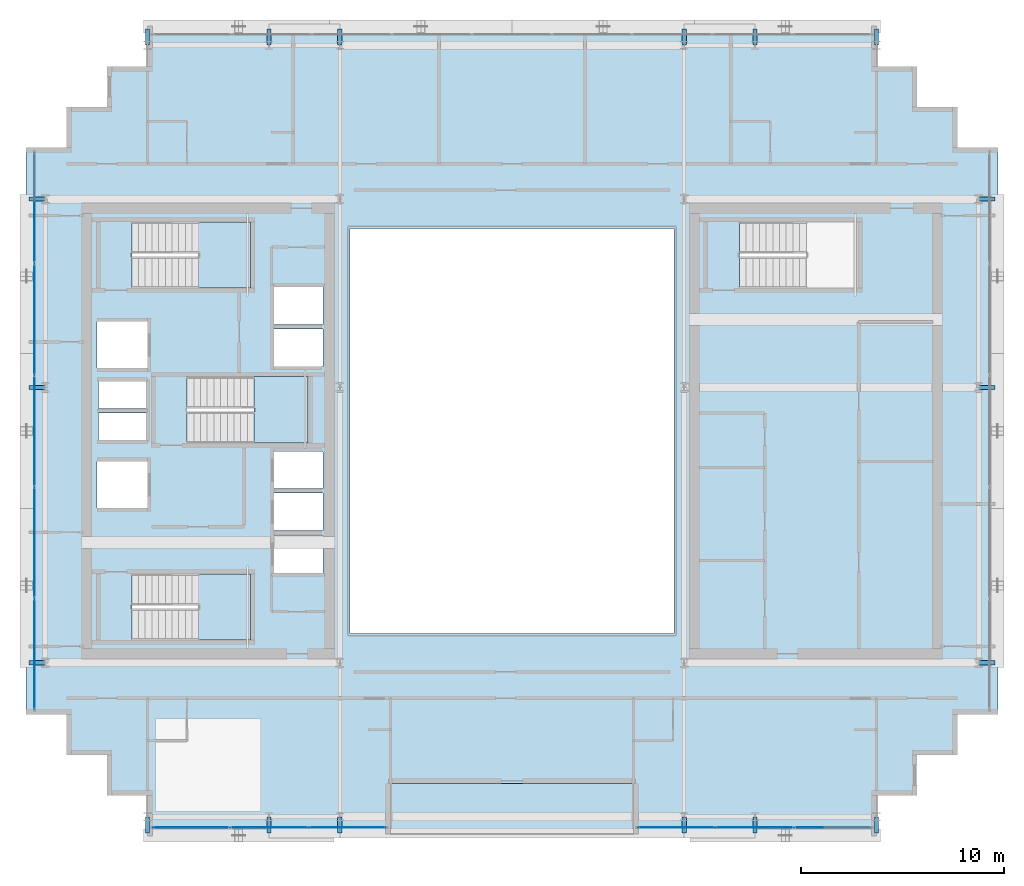
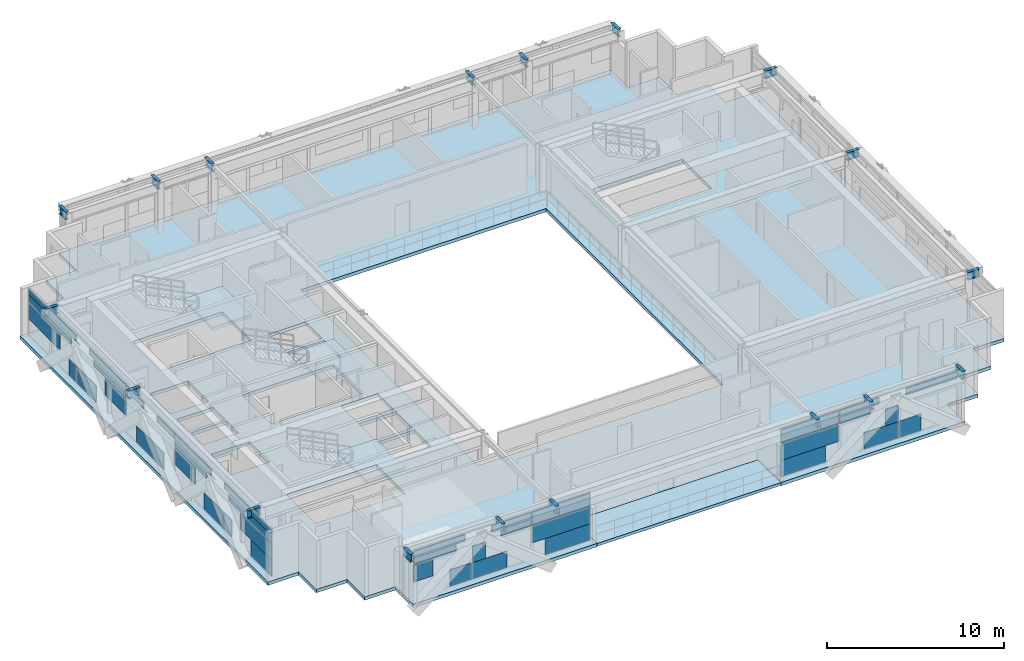
# One storey, part 20 of 30: 40 plates, 18 beams, 5 slabs, 6 elements without a shape of their own.
"""IFC4 building model written with IfcOpenShell, lengths in metres."""

from ifc_helpers import new_model, si_unit, direction, frame, origin, origin_2d, place, context, subcontext, project, spatial, polyline, rectangle, i_section, outline, extrude, source, transform, mapped, material, layer, layer_set, material_profile, profile_set, type_object, element, aggregate, save


model = new_model("IFC4")

# Units and contexts
model_context = context("Model", 3, precision=1e-05, world=origin(), true_north=direction((0.0, 1.0)))
body_context = subcontext(model_context, "Body", "Model", "MODEL_VIEW")
ifc_project = project(units=[si_unit("LENGTHUNIT", "METRE"), si_unit("AREAUNIT", "SQUARE_METRE"), si_unit("VOLUMEUNIT", "CUBIC_METRE"), si_unit("PLANEANGLEUNIT", "RADIAN"), si_unit("MASSUNIT", "GRAM", prefix="KILO")], contexts=[model_context])

# Site, building, storey
site_placement = place(None, origin())
site = spatial("IfcSite", under=ifc_project, at=site_placement, CompositionType="ELEMENT")
building_placement = place(site_placement, origin())
building = spatial("IfcBuilding", under=site, at=building_placement, Name="Ocotamira Hotel", CompositionType="ELEMENT")
storey_placement = place(building_placement, frame((0.0, 0.0, 195.60009765625)))
storey = spatial("IfcBuildingStorey", under=building, at=storey_placement, Name="L49", CompositionType="ELEMENT", Elevation=195.60009765625)

# Beams
ifc_material_1 = material(Name="Steel ASTM A992 Grade 50", Category="steel")
ifc_material_profile = material_profile(ifc_material_1, i_section(OverallWidth=0.2099609375, OverallDepth=0.537109375, WebThickness=0.010986328125, FlangeThickness=0.017333984375, FilletRadius=0.012939453125, at=origin_2d()), Name="W21X68")
ifc_profile_set = profile_set([ifc_material_profile], Name="Steel ASTM A992 Grade 50")
beam_type = type_object("IfcBeamType", Name="BM-SEC-W21X68", PredefinedType="JOIST", material=ifc_profile_set)
shared_shape_1 = source(origin(), body_context, "Body", "SweptSolid", [
    extrude(i_section(OverallWidth=0.2099609375, OverallDepth=0.537109375, WebThickness=0.010986328125, FlangeThickness=0.017333984375, FilletRadius=0.012939453125, at=origin_2d()), origin(), (0.0, 0.0, 1.0), 0.800048828125),
])
for number, where, z_axis, x_axis, name in (
    (1, (14.0, 6.949951171875, 3.101318359375), (0.0, -1.0, 0.0), (1.0, 0.0, 0.0), "L49 South Edge Header X14"),
    (2, (14.0, 45.050048828125, 3.101318359375), (0.0, 1.0, 0.0), (-1.0, 0.0, 0.0), "L49 North Edge Header X14"),
    (3, (20.0, 6.949951171875, 3.101318359375), (0.0, -1.0, 0.0), (1.0, 0.0, 0.0), "L49 South Edge Header X20"),
    (4, (20.0, 45.050048828125, 3.101318359375), (0.0, 1.0, 0.0), (-1.0, 0.0, 0.0), "L49 North Edge Header X20"),
    (5, (23.5, 6.949951171875, 3.101318359375), (0.0, -1.0, 0.0), (1.0, 0.0, 0.0), "L49 South Edge Header X23.5"),
    (6, (23.5, 45.050048828125, 3.101318359375), (0.0, 1.0, 0.0), (-1.0, 0.0, 0.0), "L49 North Edge Header X23.5"),
    (7, (40.5, 6.949951171875, 3.101318359375), (0.0, -1.0, 0.0), (1.0, 0.0, 0.0), "L49 South Edge Header X40.5"),
    (8, (40.5, 45.050048828125, 3.101318359375), (0.0, 1.0, 0.0), (-1.0, 0.0, 0.0), "L49 North Edge Header X40.5"),
    (9, (44.0, 6.949951171875, 3.101318359375), (0.0, -1.0, 0.0), (1.0, 0.0, 0.0), "L49 South Edge Header X44"),
    (10, (44.0, 45.050048828125, 3.101318359375), (0.0, 1.0, 0.0), (-1.0, 0.0, 0.0), "L49 North Edge Header X44"),
    (11, (50.0, 6.949951171875, 3.101318359375), (0.0, -1.0, 0.0), (1.0, 0.0, 0.0), "L49 South Edge Header X50"),
    (12, (50.0, 45.050048828125, 3.101318359375), (0.0, 1.0, 0.0), (-1.0, 0.0, 0.0), "L49 North Edge Header X50"),
    (13, (8.949951171875, 14.550048828125, 3.101318359375), (-1.0, 0.0, 0.0), (0.0, -1.0, 0.0), "L49 West Edge Header Y14.55"),
    (14, (55.050048828125, 14.550048828125, 3.101318359375), (1.0, 0.0, 0.0), (0.0, 1.0, 0.0), "L49 East Edge Header Y14.55"),
    (15, (8.949951171875, 28.14990234375, 3.101318359375), (-1.0, 0.0, 0.0), (0.0, -1.0, 0.0), "L49 West Edge Header Y28.15"),
    (16, (55.050048828125, 28.14990234375, 3.101318359375), (1.0, 0.0, 0.0), (0.0, 1.0, 0.0), "L49 East Edge Header Y28.15"),
    (17, (8.949951171875, 37.449951171875, 3.101318359375), (-1.0, 0.0, 0.0), (0.0, -1.0, 0.0), "L49 West Edge Header Y37.45"),
    (18, (55.050048828125, 37.449951171875, 3.101318359375), (1.0, 0.0, 0.0), (0.0, 1.0, 0.0), "L49 East Edge Header Y37.45"),
):
    element("IfcBeam", number, at=place(storey_placement, frame(where, z_axis=z_axis, x_axis=x_axis)), inside=storey, type_object=beam_type, Name=name, PredefinedType="JOIST", context=body_context, shape_type="MappedRepresentation", body=[
        mapped(shared_shape_1, transform((0.0, 0.0, 0.0), scale=1.0)),
    ])

# Slab
ifc_material_2 = material(Name="Concrete C40/50", Category="concrete")
ifc_layer_1 = layer(ifc_material_2, 0.199951171875)
ifc_layer_set_1 = layer_set([ifc_layer_1], Name="Concrete C40/50")
slab_type_1 = type_object("IfcSlabType", Name="SLB-BAL-200", PredefinedType="FLOOR", material=ifc_layer_set_1)
slab_1_placement = place(storey_placement, frame((0.0, 0.0, -0.2001953125)))
element("IfcSlab", 19, at=slab_1_placement, inside=storey, type_object=slab_type_1, Name="L49 Outdoor Sky Terrace Slab 1", PredefinedType="FLOOR", context=body_context, shape_type="SweptSolid", body=[
    extrude(outline(polyline([(26.0, 6.0), (38.0, 6.0), (38.0, 8.60009765625), (26.0, 8.60009765625), (26.0, 6.0)])), origin(), (0.0, 0.0, 1.0), 0.2001953125),
])

# Stair, slab
stair_type = type_object("IfcStairType", Name="ST-CORE-1560", PredefinedType="HALF_TURN_STAIR", material=ifc_material_2)
stair_1_placement = place(storey_placement, origin())
stair_1 = element("IfcStair", 20, at=stair_1_placement, inside=storey, type_object=stair_type, Name="L49 Exit Stair ST-1", PredefinedType="HALF_TURN_STAIR")
ifc_layer_2 = layer(ifc_material_2, 0.199951171875)
ifc_layer_set_2 = layer_set([ifc_layer_2], Name="Concrete C40/50")
slab_type_2 = type_object("IfcSlabType", Name="SLB-LAND-200", PredefinedType="LANDING", material=ifc_layer_set_2)
slab_2_placement = place(storey_placement, frame((0.0, 0.0, 1.599853515625)))
slab_2 = element("IfcSlab", 21, at=slab_2_placement, type_object=slab_type_2, Name="ST-1 landing 1", PredefinedType="LANDING", context=body_context, shape_type="SweptSolid", body=[
    extrude(outline(polyline([(16.530029296875, 15.669921875), (19.090087890625, 15.669921875), (19.090087890625, 18.949951171875), (16.530029296875, 18.949951171875), (16.530029296875, 15.669921875)])), origin(), (0.0, 0.0, 1.0), 0.199951171875),
])
aggregate(stair_1, [slab_2])

stair_2_placement = place(storey_placement, origin())
stair_2 = element("IfcStair", 22, at=stair_2_placement, inside=storey, type_object=stair_type, Name="L49 Exit Stair ST-2", PredefinedType="HALF_TURN_STAIR")
slab_3_placement = place(storey_placement, frame((0.0, 0.0, 1.599853515625)))
slab_3 = element("IfcSlab", 23, at=slab_3_placement, type_object=slab_type_2, Name="ST-2 landing 1", PredefinedType="LANDING", context=body_context, shape_type="SweptSolid", body=[
    extrude(outline(polyline([(16.530029296875, 33.050048828125), (19.090087890625, 33.050048828125), (19.090087890625, 36.330078125), (16.530029296875, 36.330078125), (16.530029296875, 33.050048828125)])), origin(), (0.0, 0.0, 1.0), 0.199951171875),
])
aggregate(stair_2, [slab_3])

stair_3_placement = place(storey_placement, origin())
stair_3 = element("IfcStair", 24, at=stair_3_placement, inside=storey, type_object=stair_type, Name="L49 Exit Stair ST-3", PredefinedType="HALF_TURN_STAIR")
slab_4_placement = place(storey_placement, frame((0.0, 0.0, 1.599853515625)))
slab_4 = element("IfcSlab", 25, at=slab_4_placement, type_object=slab_type_2, Name="ST-3 landing 1", PredefinedType="LANDING", context=body_context, shape_type="SweptSolid", body=[
    extrude(outline(polyline([(19.260009765625, 25.39990234375), (21.919921875, 25.39990234375), (21.919921875, 28.679931640625), (19.260009765625, 28.679931640625), (19.260009765625, 25.39990234375)])), origin(), (0.0, 0.0, 1.0), 0.199951171875),
])
aggregate(stair_3, [slab_4])

# Slab
ifc_layer_3 = layer(ifc_material_2, 0.22998046875)
ifc_layer_set_3 = layer_set([ifc_layer_3], Name="Concrete C40/50")
slab_type_3 = type_object("IfcSlabType", Name="SLB-Z3-230", PredefinedType="FLOOR", material=ifc_layer_set_3)
slab_5_placement = place(storey_placement, frame((0.0, 0.0, -0.22998046875)))
element("IfcSlab", 26, at=slab_5_placement, inside=storey, type_object=slab_type_3, Name="L49 Structural Floor Slab", PredefinedType="FLOOR", context=body_context, shape_type="SweptSolid", body=[
    extrude(outline(polyline([(14.0, 6.0), (14.0, 8.0), (12.0, 8.0), (12.0, 10.0), (10.0, 10.0), (10.0, 12.0), (8.0, 12.0), (8.0, 40.0), (10.0, 40.0), (10.0, 42.0), (12.0, 42.0), (12.0, 44.0), (14.0, 44.0), (14.0, 46.0), (50.0, 46.0), (50.0, 44.0), (52.0, 44.0), (52.0, 42.0), (54.0, 42.0), (54.0, 40.0), (56.0, 40.0), (56.0, 12.0), (54.0, 12.0), (54.0, 10.0), (52.0, 10.0), (52.0, 8.0), (50.0, 8.0), (50.0, 6.0), (38.0, 6.0), (38.0, 8.60009765625), (26.0, 8.60009765625), (26.0, 6.0), (14.0, 6.0)]), holes=[polyline([(24.0, 16.0), (40.0, 16.0), (40.0, 36.0), (24.0, 36.0), (24.0, 16.0)]), polyline([(13.22998046875, 15.669921875), (19.090087890625, 15.669921875), (19.090087890625, 18.949951171875), (13.22998046875, 18.949951171875), (13.22998046875, 15.669921875)]), polyline([(13.22998046875, 33.050048828125), (19.090087890625, 33.050048828125), (19.090087890625, 36.330078125), (13.22998046875, 36.330078125), (13.22998046875, 33.050048828125)]), polyline([(15.9599609375, 25.39990234375), (21.919921875, 25.39990234375), (21.919921875, 28.679931640625), (15.9599609375, 28.679931640625), (15.9599609375, 25.39990234375)]), polyline([(43.22998046875, 33.050048828125), (49.090087890625, 33.050048828125), (49.090087890625, 36.330078125), (43.22998046875, 36.330078125), (43.22998046875, 33.050048828125)]), polyline([(20.25, 19.0), (22.659912109375, 19.0), (22.659912109375, 20.85009765625), (20.25, 20.85009765625), (20.25, 19.0)]), polyline([(20.25, 21.080078125), (22.659912109375, 21.080078125), (22.659912109375, 22.929931640625), (20.25, 22.929931640625), (20.25, 21.080078125)]), polyline([(20.25, 23.159912109375), (22.659912109375, 23.159912109375), (22.659912109375, 24.9599609375), (20.25, 24.9599609375), (20.25, 23.159912109375)]), polyline([(20.25, 29.179931640625), (22.659912109375, 29.179931640625), (22.659912109375, 31.030029296875), (20.25, 31.030029296875), (20.25, 29.179931640625)]), polyline([(20.25, 31.260009765625), (22.659912109375, 31.260009765625), (22.659912109375, 33.110107421875), (20.25, 33.110107421875), (20.25, 31.260009765625)]), polyline([(11.5, 22.199951171875), (14.0, 22.199951171875), (14.0, 24.5), (11.5, 24.5), (11.5, 22.199951171875)]), polyline([(11.5, 29.10009765625), (14.0, 29.10009765625), (14.0, 31.39990234375), (11.5, 31.39990234375), (11.5, 29.10009765625)]), polyline([(11.580078125, 25.550048828125), (13.919921875, 25.550048828125), (13.919921875, 26.89990234375), (11.580078125, 26.89990234375), (11.580078125, 25.550048828125)]), polyline([(11.580078125, 27.10009765625), (13.919921875, 27.10009765625), (13.919921875, 28.449951171875), (11.580078125, 28.449951171875), (11.580078125, 27.10009765625)])]), origin(), (0.0, 0.0, 1.0), 0.22998046875),
])

# Curtain wall, plates
ifc_material_3 = material(Name="Anodised pale-metal aluminium and solar glass", Category="aluminium")
ifc_layer_4 = layer(ifc_material_3, 0.199951171875)
ifc_layer_set_4 = layer_set([ifc_layer_4], Name="Anodised pale-metal aluminium and solar glass")
curtain_wall_type = type_object("IfcCurtainWallType", Name="CW-SYS4-Z3", PredefinedType="NOTDEFINED", material=ifc_layer_set_4)
curtain_wall_1_placement = place(storey_placement, origin())
curtain_wall_1 = element("IfcCurtainWall", 27, at=curtain_wall_1_placement, inside=storey, type_object=curtain_wall_type, Name="L49 Curtain Wall CW-4 CW-L49-S1", PredefinedType="NOTDEFINED")
ifc_material_4 = material(Name="Double-silver low-E insulated solar glass", Category="glass")
ifc_layer_5 = layer(ifc_material_4, 0.031982421875)
ifc_layer_set_5 = layer_set([ifc_layer_5], Name="Double-silver low-E insulated solar glass")
plate_type = type_object("IfcPlateType", Name="CWP-VISION-32", PredefinedType="CURTAIN_PANEL", material=ifc_layer_set_5)
shared_shape_2 = source(origin(), body_context, "Body", "SweptSolid", [
    extrude(rectangle(XDim=1.251953125, YDim=0.031982421875, at=origin_2d()), origin(), (0.0, 0.0, 1.0), 1.118896484375),
])
plate_1_placement = place(storey_placement, frame((14.906005859375, 6.419921875, 1.193359375), z_axis=(0.0, 0.0, 1.0), x_axis=(1.0, 0.0, 0.0)))
plate_1 = element("IfcPlate", 28, at=plate_1_placement, type_object=plate_type, Name="CW-4 panel 1.1.1", PredefinedType="CURTAIN_PANEL", context=body_context, shape_type="MappedRepresentation", body=[
    mapped(shared_shape_2, transform((0.0, 0.0, 0.0), scale=1.0)),
])
shared_shape_3 = source(origin(), body_context, "Body", "SweptSolid", [
    extrude(rectangle(XDim=2.744140625, YDim=0.031982421875, at=origin_2d()), origin(), (0.0, 0.0, 1.0), 0.443603515625),
])
plate_2_placement = place(storey_placement, frame((15.652099609375, 6.419921875, 2.38720703125), z_axis=(0.0, 0.0, 1.0), x_axis=(1.0, 0.0, 0.0)))
plate_2 = element("IfcPlate", 29, at=plate_2_placement, type_object=plate_type, Name="CW-4 panel 1.2.1", PredefinedType="CURTAIN_PANEL", context=body_context, shape_type="MappedRepresentation", body=[
    mapped(shared_shape_3, transform((0.0, 0.0, 0.0), scale=1.0)),
])
shared_shape_4 = source(origin(), body_context, "Body", "SweptSolid", [
    extrude(rectangle(XDim=3.337646484375, YDim=0.031982421875, at=origin_2d()), origin(), (0.0, 0.0, 1.0), 0.4326171875),
])
plate_3_placement = place(storey_placement, frame((15.94873046875, 6.419921875, 2.8623046875), z_axis=(0.0, 0.0, 1.0), x_axis=(1.0, 0.0, 0.0)))
plate_3 = element("IfcPlate", 30, at=plate_3_placement, type_object=plate_type, Name="CW-4 panel 1.2.2", PredefinedType="CURTAIN_PANEL", context=body_context, shape_type="MappedRepresentation", body=[
    mapped(shared_shape_4, transform((0.0, 0.0, 0.0), scale=1.0)),
])

# Curtain wall, plate
curtain_wall_2_placement = place(storey_placement, origin())
curtain_wall_2 = element("IfcCurtainWall", 31, at=curtain_wall_2_placement, inside=storey, type_object=curtain_wall_type, Name="L49 Curtain Wall CW-4 CW-L49-S2", PredefinedType="NOTDEFINED")
plate_4_placement = place(storey_placement, frame((48.05126953125, 6.419921875, 2.8623046875), z_axis=(0.0, 0.0, 1.0), x_axis=(1.0, 0.0, 0.0)))
plate_4 = element("IfcPlate", 32, at=plate_4_placement, type_object=plate_type, Name="CW-4 panel 3.2.1", PredefinedType="CURTAIN_PANEL", context=body_context, shape_type="MappedRepresentation", body=[
    mapped(shared_shape_4, transform((0.0, 0.0, 0.0), scale=1.0)),
])

# Plate
shared_shape_5 = source(origin(), body_context, "Body", "SweptSolid", [
    extrude(rectangle(XDim=0.82568359375, YDim=0.031982421875, at=origin_2d()), origin(), (0.0, 0.0, 1.0), 1.118896484375),
])
plate_5_placement = place(storey_placement, frame((18.5361328125, 6.419921875, 1.193359375), z_axis=(0.0, 0.0, 1.0), x_axis=(1.0, 0.0, 0.0)))
plate_5 = element("IfcPlate", 33, at=plate_5_placement, type_object=plate_type, Name="CW-4 panel 2.1.2", PredefinedType="CURTAIN_PANEL", context=body_context, shape_type="MappedRepresentation", body=[
    mapped(shared_shape_5, transform((0.0, 0.0, 0.0), scale=1.0)),
])

plate_6_placement = place(storey_placement, frame((45.4638671875, 6.419921875, 1.193359375), z_axis=(0.0, 0.0, 1.0), x_axis=(1.0, 0.0, 0.0)))
plate_6 = element("IfcPlate", 34, at=plate_6_placement, type_object=plate_type, Name="CW-4 panel 2.1.2", PredefinedType="CURTAIN_PANEL", context=body_context, shape_type="MappedRepresentation", body=[
    mapped(shared_shape_5, transform((0.0, 0.0, 0.0), scale=1.0)),
])

shared_shape_6 = source(origin(), body_context, "Body", "SweptSolid", [
    extrude(rectangle(XDim=2.544189453125, YDim=0.031982421875, at=origin_2d()), origin(), (0.0, 0.0, 1.0), 0.4326171875),
])
plate_7_placement = place(storey_placement, frame((20.654541015625, 6.419921875, 2.8623046875), z_axis=(0.0, 0.0, 1.0), x_axis=(1.0, 0.0, 0.0)))
plate_7 = element("IfcPlate", 35, at=plate_7_placement, type_object=plate_type, Name="CW-4 panel 2.2.1", PredefinedType="CURTAIN_PANEL", context=body_context, shape_type="MappedRepresentation", body=[
    mapped(shared_shape_6, transform((0.0, 0.0, 0.0), scale=1.0)),
])

plate_8_placement = place(storey_placement, frame((43.345458984375, 6.419921875, 2.8623046875), z_axis=(0.0, 0.0, 1.0), x_axis=(1.0, 0.0, 0.0)))
plate_8 = element("IfcPlate", 36, at=plate_8_placement, type_object=plate_type, Name="CW-4 panel 2.2.2", PredefinedType="CURTAIN_PANEL", context=body_context, shape_type="MappedRepresentation", body=[
    mapped(shared_shape_6, transform((0.0, 0.0, 0.0), scale=1.0)),
])

shared_shape_7 = source(origin(), body_context, "Body", "SweptSolid", [
    extrude(rectangle(XDim=1.95068359375, YDim=0.031982421875, at=origin_2d()), origin(), (0.0, 0.0, 1.0), 0.443603515625),
])
plate_9_placement = place(storey_placement, frame((20.951416015625, 6.419921875, 2.38720703125), z_axis=(0.0, 0.0, 1.0), x_axis=(1.0, 0.0, 0.0)))
plate_9 = element("IfcPlate", 37, at=plate_9_placement, type_object=plate_type, Name="CW-4 panel 2.2.2", PredefinedType="CURTAIN_PANEL", context=body_context, shape_type="MappedRepresentation", body=[
    mapped(shared_shape_7, transform((0.0, 0.0, 0.0), scale=1.0)),
])

plate_10_placement = place(storey_placement, frame((43.048583984375, 6.419921875, 2.38720703125), z_axis=(0.0, 0.0, 1.0), x_axis=(1.0, 0.0, 0.0)))
plate_10 = element("IfcPlate", 38, at=plate_10_placement, type_object=plate_type, Name="CW-4 panel 2.2.1", PredefinedType="CURTAIN_PANEL", context=body_context, shape_type="MappedRepresentation", body=[
    mapped(shared_shape_7, transform((0.0, 0.0, 0.0), scale=1.0)),
])

shared_shape_8 = source(origin(), body_context, "Body", "SweptSolid", [
    extrude(rectangle(XDim=3.76318359375, YDim=0.031982421875, at=origin_2d()), origin(), (0.0, 0.0, 1.0), 1.118896484375),
])
plate_11_placement = place(storey_placement, frame((23.88818359375, 6.419921875, 1.193359375), z_axis=(0.0, 0.0, 1.0), x_axis=(1.0, 0.0, 0.0)))
plate_11 = element("IfcPlate", 39, at=plate_11_placement, type_object=plate_type, Name="CW-4 panel 3.1.1", PredefinedType="CURTAIN_PANEL", context=body_context, shape_type="MappedRepresentation", body=[
    mapped(shared_shape_8, transform((0.0, 0.0, 0.0), scale=1.0)),
])

plate_12_placement = place(storey_placement, frame((40.11181640625, 6.419921875, 1.193359375), z_axis=(0.0, 0.0, 1.0), x_axis=(1.0, 0.0, 0.0)))
plate_12 = element("IfcPlate", 40, at=plate_12_placement, type_object=plate_type, Name="CW-4 panel 1.1.2", PredefinedType="CURTAIN_PANEL", context=body_context, shape_type="MappedRepresentation", body=[
    mapped(shared_shape_8, transform((0.0, 0.0, 0.0), scale=1.0)),
])

shared_shape_9 = source(origin(), body_context, "Body", "SweptSolid", [
    extrude(rectangle(XDim=3.763427734375, YDim=0.031982421875, at=origin_2d()), origin(), (0.0, 0.0, 1.0), 0.907470703125),
])
plate_13_placement = place(storey_placement, frame((23.888427734375, 6.419921875, 2.38720703125), z_axis=(0.0, 0.0, 1.0), x_axis=(1.0, 0.0, 0.0)))
plate_13 = element("IfcPlate", 41, at=plate_13_placement, type_object=plate_type, Name="CW-4 panel 3.2", PredefinedType="CURTAIN_PANEL", context=body_context, shape_type="MappedRepresentation", body=[
    mapped(shared_shape_9, transform((0.0, 0.0, 0.0), scale=1.0)),
])

plate_14_placement = place(storey_placement, frame((40.111572265625, 6.419921875, 2.38720703125), z_axis=(0.0, 0.0, 1.0), x_axis=(1.0, 0.0, 0.0)))
plate_14 = element("IfcPlate", 42, at=plate_14_placement, type_object=plate_type, Name="CW-4 panel 1.2", PredefinedType="CURTAIN_PANEL", context=body_context, shape_type="MappedRepresentation", body=[
    mapped(shared_shape_9, transform((0.0, 0.0, 0.0), scale=1.0)),
])

# Curtain wall, plates
curtain_wall_3_placement = place(storey_placement, origin())
curtain_wall_3 = element("IfcCurtainWall", 43, at=curtain_wall_3_placement, inside=storey, type_object=curtain_wall_type, Name="L49 Curtain Wall CW-4 CW-L49-W", PredefinedType="NOTDEFINED")
shared_shape_10 = source(origin(), body_context, "Body", "SweptSolid", [
    extrude(rectangle(XDim=3.534423828125, YDim=0.031982421875, at=origin_2d()), origin(), (0.0, 0.0, 1.0), 1.118896484375),
])
plate_15_placement = place(storey_placement, frame((8.419921875, 14.047119140625, 1.193359375), z_axis=(0.0, 0.0, 1.0), x_axis=(0.0, 1.0, 0.0)))
plate_15 = element("IfcPlate", 44, at=plate_15_placement, type_object=plate_type, Name="CW-4 panel 1.1.2", PredefinedType="CURTAIN_PANEL", context=body_context, shape_type="MappedRepresentation", body=[
    mapped(shared_shape_10, transform((0.0, 0.0, 0.0), scale=1.0)),
])
plate_16_placement = place(storey_placement, frame((8.419921875, 37.952880859375, 1.193359375), z_axis=(0.0, 0.0, 1.0), x_axis=(0.0, 1.0, 0.0)))
plate_16 = element("IfcPlate", 45, at=plate_16_placement, type_object=plate_type, Name="CW-4 panel 5.1.2", PredefinedType="CURTAIN_PANEL", context=body_context, shape_type="MappedRepresentation", body=[
    mapped(shared_shape_10, transform((0.0, 0.0, 0.0), scale=1.0)),
])
shared_shape_11 = source(origin(), body_context, "Body", "SweptSolid", [
    extrude(rectangle(XDim=4.7998046875, YDim=0.031982421875, at=origin_2d()), origin(), (0.0, 0.0, 1.0), 0.4951171875),
])
plate_17_placement = place(storey_placement, frame((8.419921875, 14.679931640625, 2.387451171875), z_axis=(0.0, 0.0, 1.0), x_axis=(0.0, 1.0, 0.0)))
plate_17 = element("IfcPlate", 46, at=plate_17_placement, type_object=plate_type, Name="CW-4 panel 1.2.1", PredefinedType="CURTAIN_PANEL", context=body_context, shape_type="MappedRepresentation", body=[
    mapped(shared_shape_11, transform((0.0, 0.0, 0.0), scale=1.0)),
])
plate_18_placement = place(storey_placement, frame((8.419921875, 37.320068359375, 2.387451171875), z_axis=(0.0, 0.0, 1.0), x_axis=(0.0, 1.0, 0.0)))
plate_18 = element("IfcPlate", 47, at=plate_18_placement, type_object=plate_type, Name="CW-4 panel 5.2.2", PredefinedType="CURTAIN_PANEL", context=body_context, shape_type="MappedRepresentation", body=[
    mapped(shared_shape_11, transform((0.0, 0.0, 0.0), scale=1.0)),
])
shared_shape_12 = source(origin(), body_context, "Body", "SweptSolid", [
    extrude(rectangle(XDim=5.32470703125, YDim=0.031982421875, at=origin_2d()), origin(), (0.0, 0.0, 1.0), 0.41259765625),
])
plate_19_placement = place(storey_placement, frame((8.419921875, 14.9423828125, 2.88232421875), z_axis=(0.0, 0.0, 1.0), x_axis=(0.0, 1.0, 0.0)))
plate_19 = element("IfcPlate", 48, at=plate_19_placement, type_object=plate_type, Name="CW-4 panel 1.2.2", PredefinedType="CURTAIN_PANEL", context=body_context, shape_type="MappedRepresentation", body=[
    mapped(shared_shape_12, transform((0.0, 0.0, 0.0), scale=1.0)),
])
plate_20_placement = place(storey_placement, frame((8.419921875, 37.0576171875, 2.88232421875), z_axis=(0.0, 0.0, 1.0), x_axis=(0.0, 1.0, 0.0)))
plate_20 = element("IfcPlate", 49, at=plate_20_placement, type_object=plate_type, Name="CW-4 panel 5.2.1", PredefinedType="CURTAIN_PANEL", context=body_context, shape_type="MappedRepresentation", body=[
    mapped(shared_shape_12, transform((0.0, 0.0, 0.0), scale=1.0)),
])
shared_shape_13 = source(origin(), body_context, "Body", "SweptSolid", [
    extrude(rectangle(XDim=2.281005859375, YDim=0.031982421875, at=origin_2d()), origin(), (0.0, 0.0, 1.0), 1.118896484375),
])
plate_21_placement = place(storey_placement, frame((8.419921875, 22.059326171875, 1.193359375), z_axis=(0.0, 0.0, 1.0), x_axis=(0.0, 1.0, 0.0)))
plate_21 = element("IfcPlate", 50, at=plate_21_placement, type_object=plate_type, Name="CW-4 panel 2.1.2", PredefinedType="CURTAIN_PANEL", context=body_context, shape_type="MappedRepresentation", body=[
    mapped(shared_shape_13, transform((0.0, 0.0, 0.0), scale=1.0)),
])
plate_22_placement = place(storey_placement, frame((8.419921875, 29.940673828125, 1.193359375), z_axis=(0.0, 0.0, 1.0), x_axis=(0.0, 1.0, 0.0)))
plate_22 = element("IfcPlate", 51, at=plate_22_placement, type_object=plate_type, Name="CW-4 panel 4.1.1", PredefinedType="CURTAIN_PANEL", context=body_context, shape_type="MappedRepresentation", body=[
    mapped(shared_shape_13, transform((0.0, 0.0, 0.0), scale=1.0)),
])
shared_shape_14 = source(origin(), body_context, "Body", "SweptSolid", [
    extrude(rectangle(XDim=4.071533203125, YDim=0.031982421875, at=origin_2d()), origin(), (0.0, 0.0, 1.0), 0.41259765625),
])
plate_23_placement = place(storey_placement, frame((8.419921875, 21.164306640625, 2.88232421875), z_axis=(0.0, 0.0, 1.0), x_axis=(0.0, 1.0, 0.0)))
plate_23 = element("IfcPlate", 52, at=plate_23_placement, type_object=plate_type, Name="CW-4 panel 2.2.1", PredefinedType="CURTAIN_PANEL", context=body_context, shape_type="MappedRepresentation", body=[
    mapped(shared_shape_14, transform((0.0, 0.0, 0.0), scale=1.0)),
])
plate_24_placement = place(storey_placement, frame((8.419921875, 30.835693359375, 2.88232421875), z_axis=(0.0, 0.0, 1.0), x_axis=(0.0, 1.0, 0.0)))
plate_24 = element("IfcPlate", 53, at=plate_24_placement, type_object=plate_type, Name="CW-4 panel 4.2.2", PredefinedType="CURTAIN_PANEL", context=body_context, shape_type="MappedRepresentation", body=[
    mapped(shared_shape_14, transform((0.0, 0.0, 0.0), scale=1.0)),
])
shared_shape_15 = source(origin(), body_context, "Body", "SweptSolid", [
    extrude(rectangle(XDim=3.546630859375, YDim=0.031982421875, at=origin_2d()), origin(), (0.0, 0.0, 1.0), 0.460693359375),
])
plate_25_placement = place(storey_placement, frame((8.419921875, 21.426513671875, 2.3876953125), z_axis=(0.0, 0.0, 1.0), x_axis=(0.0, 1.0, 0.0)))
plate_25 = element("IfcPlate", 54, at=plate_25_placement, type_object=plate_type, Name="CW-4 panel 2.2.2", PredefinedType="CURTAIN_PANEL", context=body_context, shape_type="MappedRepresentation", body=[
    mapped(shared_shape_15, transform((0.0, 0.0, 0.0), scale=1.0)),
])
plate_26_placement = place(storey_placement, frame((8.419921875, 30.573486328125, 2.3876953125), z_axis=(0.0, 0.0, 1.0), x_axis=(0.0, 1.0, 0.0)))
plate_26 = element("IfcPlate", 55, at=plate_26_placement, type_object=plate_type, Name="CW-4 panel 4.2.1", PredefinedType="CURTAIN_PANEL", context=body_context, shape_type="MappedRepresentation", body=[
    mapped(shared_shape_15, transform((0.0, 0.0, 0.0), scale=1.0)),
])
shared_shape_16 = source(origin(), body_context, "Body", "SweptSolid", [
    extrude(rectangle(XDim=1.958251953125, YDim=0.031982421875, at=origin_2d()), origin(), (0.0, 0.0, 1.0), 0.41259765625),
])
plate_27_placement = place(storey_placement, frame((8.419921875, 24.259033203125, 2.88232421875), z_axis=(0.0, 0.0, 1.0), x_axis=(0.0, 1.0, 0.0)))
plate_27 = element("IfcPlate", 56, at=plate_27_placement, type_object=plate_type, Name="CW-4 panel 3.2.1", PredefinedType="CURTAIN_PANEL", context=body_context, shape_type="MappedRepresentation", body=[
    mapped(shared_shape_16, transform((0.0, 0.0, 0.0), scale=1.0)),
])
plate_28_placement = place(storey_placement, frame((8.419921875, 27.740966796875, 2.88232421875), z_axis=(0.0, 0.0, 1.0), x_axis=(0.0, 1.0, 0.0)))
plate_28 = element("IfcPlate", 57, at=plate_28_placement, type_object=plate_type, Name="CW-4 panel 3.2.2", PredefinedType="CURTAIN_PANEL", context=body_context, shape_type="MappedRepresentation", body=[
    mapped(shared_shape_16, transform((0.0, 0.0, 0.0), scale=1.0)),
])

# Plate
shared_shape_17 = source(origin(), body_context, "Body", "SweptSolid", [
    extrude(rectangle(XDim=1.390869140625, YDim=0.031982421875, at=origin_2d()), origin(), (0.0, 0.0, 1.0), 1.11865234375),
])
plate_29_placement = place(storey_placement, frame((17.347900390625, 6.419921875, 0.074951171875), z_axis=(0.0, 0.0, 1.0), x_axis=(1.0, 0.0, 0.0)))
plate_29 = element("IfcPlate", 58, at=plate_29_placement, type_object=plate_type, Name="CW-4 panel 1.1.2", PredefinedType="CURTAIN_PANEL", context=body_context, shape_type="MappedRepresentation", body=[
    mapped(shared_shape_17, transform((0.0, 0.0, 0.0), scale=1.0)),
])

plate_30_placement = place(storey_placement, frame((46.652099609375, 6.419921875, 0.074951171875), z_axis=(0.0, 0.0, 1.0), x_axis=(1.0, 0.0, 0.0)))
plate_30 = element("IfcPlate", 59, at=plate_30_placement, type_object=plate_type, Name="CW-4 panel 3.1.1", PredefinedType="CURTAIN_PANEL", context=body_context, shape_type="MappedRepresentation", body=[
    mapped(shared_shape_17, transform((0.0, 0.0, 0.0), scale=1.0)),
])

shared_shape_18 = source(origin(), body_context, "Body", "SweptSolid", [
    extrude(rectangle(XDim=2.22412109375, YDim=0.031982421875, at=origin_2d()), origin(), (0.0, 0.0, 1.0), 1.11865234375),
])
plate_31_placement = place(storey_placement, frame((19.2353515625, 6.419921875, 0.074951171875), z_axis=(0.0, 0.0, 1.0), x_axis=(1.0, 0.0, 0.0)))
plate_31 = element("IfcPlate", 60, at=plate_31_placement, type_object=plate_type, Name="CW-4 panel 2.1.1", PredefinedType="CURTAIN_PANEL", context=body_context, shape_type="MappedRepresentation", body=[
    mapped(shared_shape_18, transform((0.0, 0.0, 0.0), scale=1.0)),
])

plate_32_placement = place(storey_placement, frame((44.7646484375, 6.419921875, 0.074951171875), z_axis=(0.0, 0.0, 1.0), x_axis=(1.0, 0.0, 0.0)))
plate_32 = element("IfcPlate", 61, at=plate_32_placement, type_object=plate_type, Name="CW-4 panel 2.1.1", PredefinedType="CURTAIN_PANEL", context=body_context, shape_type="MappedRepresentation", body=[
    mapped(shared_shape_18, transform((0.0, 0.0, 0.0), scale=1.0)),
])

shared_shape_19 = source(origin(), body_context, "Body", "SweptSolid", [
    extrude(rectangle(XDim=2.903564453125, YDim=0.031982421875, at=origin_2d()), origin(), (0.0, 0.0, 1.0), 1.11865234375),
])
plate_33_placement = place(storey_placement, frame((24.318359375, 6.419921875, 0.074951171875), z_axis=(0.0, 0.0, 1.0), x_axis=(1.0, 0.0, 0.0)))
plate_33 = element("IfcPlate", 62, at=plate_33_placement, type_object=plate_type, Name="CW-4 panel 3.1.2", PredefinedType="CURTAIN_PANEL", context=body_context, shape_type="MappedRepresentation", body=[
    mapped(shared_shape_19, transform((0.0, 0.0, 0.0), scale=1.0)),
])

aggregate(curtain_wall_1, [plate_1, plate_29, plate_2, plate_3, plate_31, plate_5, plate_7, plate_9, plate_11, plate_33, plate_13])

plate_34_placement = place(storey_placement, frame((39.681640625, 6.419921875, 0.074951171875), z_axis=(0.0, 0.0, 1.0), x_axis=(1.0, 0.0, 0.0)))
plate_34 = element("IfcPlate", 63, at=plate_34_placement, type_object=plate_type, Name="CW-4 panel 1.1.1", PredefinedType="CURTAIN_PANEL", context=body_context, shape_type="MappedRepresentation", body=[
    mapped(shared_shape_19, transform((0.0, 0.0, 0.0), scale=1.0)),
])

aggregate(curtain_wall_2, [plate_34, plate_12, plate_14, plate_32, plate_6, plate_10, plate_8, plate_30, plate_4])

shared_shape_20 = source(origin(), body_context, "Body", "SweptSolid", [
    extrude(rectangle(XDim=2.348388671875, YDim=0.031982421875, at=origin_2d()), origin(), (0.0, 0.0, 1.0), 1.11865234375),
])
plate_35_placement = place(storey_placement, frame((8.419921875, 13.4541015625, 0.074951171875), z_axis=(0.0, 0.0, 1.0), x_axis=(0.0, 1.0, 0.0)))
plate_35 = element("IfcPlate", 64, at=plate_35_placement, type_object=plate_type, Name="CW-4 panel 1.1.1", PredefinedType="CURTAIN_PANEL", context=body_context, shape_type="MappedRepresentation", body=[
    mapped(shared_shape_20, transform((0.0, 0.0, 0.0), scale=1.0)),
])

shared_shape_21 = source(origin(), body_context, "Body", "SweptSolid", [
    extrude(rectangle(XDim=0.845458984375, YDim=0.031982421875, at=origin_2d()), origin(), (0.0, 0.0, 1.0), 1.11865234375),
])
plate_36_placement = place(storey_placement, frame((8.419921875, 17.25732421875, 0.074951171875), z_axis=(0.0, 0.0, 1.0), x_axis=(0.0, 1.0, 0.0)))
plate_36 = element("IfcPlate", 65, at=plate_36_placement, type_object=plate_type, Name="CW-4 panel 1.1.3", PredefinedType="CURTAIN_PANEL", context=body_context, shape_type="MappedRepresentation", body=[
    mapped(shared_shape_21, transform((0.0, 0.0, 0.0), scale=1.0)),
])

plate_37_placement = place(storey_placement, frame((8.419921875, 34.74267578125, 0.074951171875), z_axis=(0.0, 0.0, 1.0), x_axis=(0.0, 1.0, 0.0)))
plate_37 = element("IfcPlate", 66, at=plate_37_placement, type_object=plate_type, Name="CW-4 panel 5.1.1", PredefinedType="CURTAIN_PANEL", context=body_context, shape_type="MappedRepresentation", body=[
    mapped(shared_shape_21, transform((0.0, 0.0, 0.0), scale=1.0)),
])

shared_shape_22 = source(origin(), body_context, "Body", "SweptSolid", [
    extrude(rectangle(XDim=2.138671875, YDim=0.031982421875, at=origin_2d()), origin(), (0.0, 0.0, 1.0), 1.11865234375),
])
plate_38_placement = place(storey_placement, frame((8.419921875, 18.829345703125, 0.074951171875), z_axis=(0.0, 0.0, 1.0), x_axis=(0.0, 1.0, 0.0)))
plate_38 = element("IfcPlate", 67, at=plate_38_placement, type_object=plate_type, Name="CW-4 panel 2.1.1", PredefinedType="CURTAIN_PANEL", context=body_context, shape_type="MappedRepresentation", body=[
    mapped(shared_shape_22, transform((0.0, 0.0, 0.0), scale=1.0)),
])

plate_39_placement = place(storey_placement, frame((8.419921875, 33.170654296875, 0.074951171875), z_axis=(0.0, 0.0, 1.0), x_axis=(0.0, 1.0, 0.0)))
plate_39 = element("IfcPlate", 68, at=plate_39_placement, type_object=plate_type, Name="CW-4 panel 4.1.2", PredefinedType="CURTAIN_PANEL", context=body_context, shape_type="MappedRepresentation", body=[
    mapped(shared_shape_22, transform((0.0, 0.0, 0.0), scale=1.0)),
])

shared_shape_23 = source(origin(), body_context, "Body", "SweptSolid", [
    extrude(rectangle(XDim=3.064208984375, YDim=0.031982421875, at=origin_2d()), origin(), (0.0, 0.0, 1.0), 1.11865234375),
])
plate_40_placement = place(storey_placement, frame((8.419921875, 26.0, 0.074951171875), z_axis=(0.0, 0.0, 1.0), x_axis=(0.0, 1.0, 0.0)))
plate_40 = element("IfcPlate", 69, at=plate_40_placement, type_object=plate_type, Name="CW-4 panel 3.1.1", PredefinedType="CURTAIN_PANEL", context=body_context, shape_type="MappedRepresentation", body=[
    mapped(shared_shape_23, transform((0.0, 0.0, 0.0), scale=1.0)),
])

aggregate(curtain_wall_3, [plate_35, plate_15, plate_36, plate_17, plate_19, plate_38, plate_21, plate_23, plate_25, plate_40, plate_27, plate_28, plate_22, plate_39, plate_26, plate_24, plate_37, plate_16, plate_20, plate_18])

save(model, "model.ifc")
